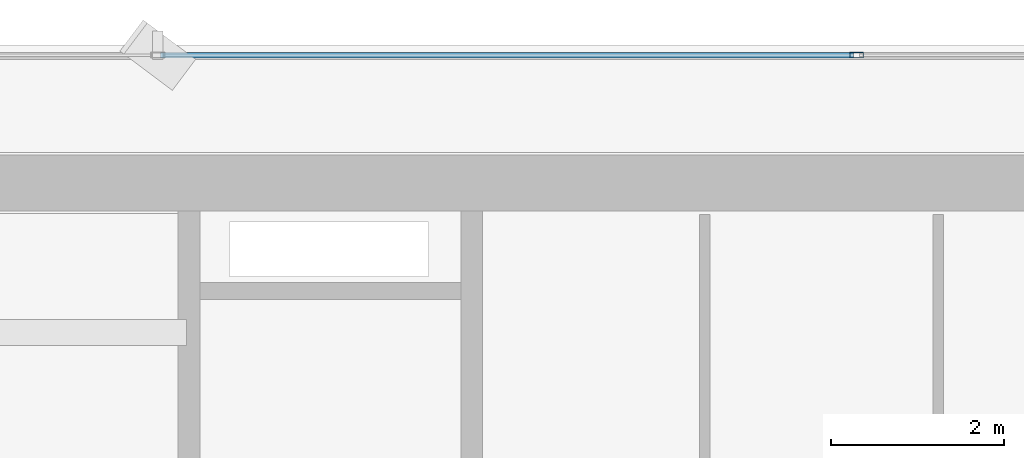
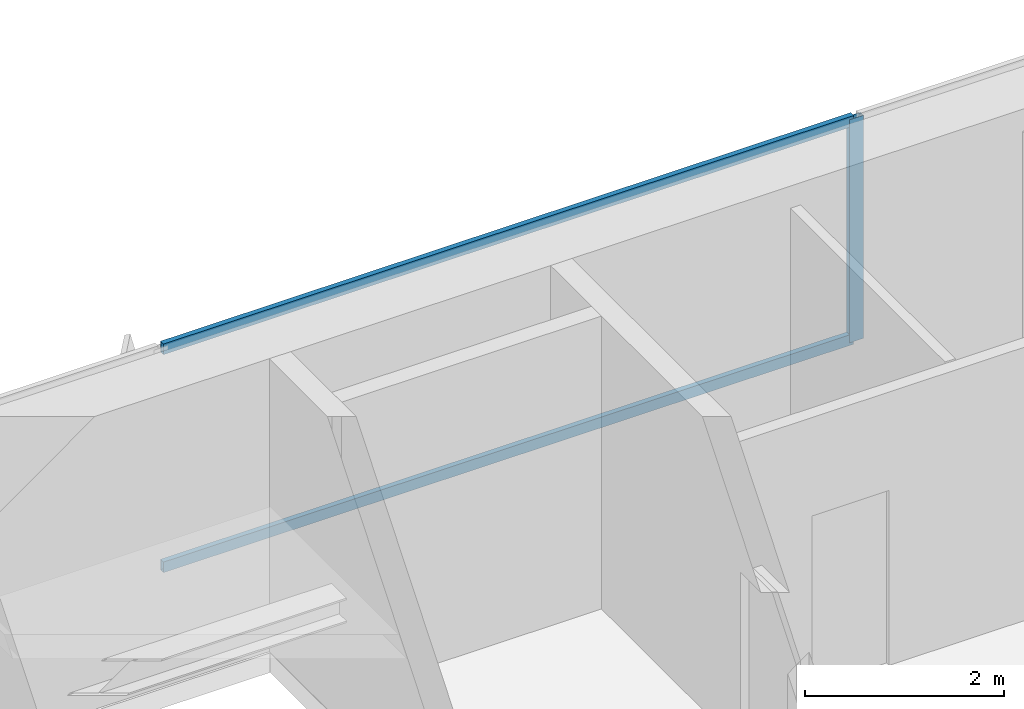
# One storey, part 21 of 37: 3 members, 1 element without a shape of its own.
"""IFC4 building model written with IfcOpenShell, lengths in metres."""

from ifc_helpers import new_model, si_unit, direction, frame, origin, origin_2d, place, context, subcontext, project, spatial, hollow_rectangle, extrude, source, transform, mapped, material, layer, layer_set, material_profile, profile_set, type_object, element, aggregate, save


model = new_model("IFC4")

# Units and contexts
model_context = context("Model", 3, precision=1e-05, world=origin(), true_north=direction((0.0, 1.0)))
body_context = subcontext(model_context, "Body", "Model", "MODEL_VIEW")
ifc_project = project(units=[si_unit("LENGTHUNIT", "METRE"), si_unit("AREAUNIT", "SQUARE_METRE"), si_unit("VOLUMEUNIT", "CUBIC_METRE"), si_unit("PLANEANGLEUNIT", "RADIAN"), si_unit("MASSUNIT", "GRAM", prefix="KILO")], contexts=[model_context])

# Site, building, storey
site_placement = place(None, origin())
site = spatial("IfcSite", under=ifc_project, at=site_placement, CompositionType="ELEMENT")
building_placement = place(site_placement, origin())
building = spatial("IfcBuilding", under=site, at=building_placement, Name="Sumidabori Civic Tower", CompositionType="ELEMENT")
storey_placement = place(building_placement, frame((0.0, 0.0, 95.60009765625)))
storey = spatial("IfcBuildingStorey", under=building, at=storey_placement, Name="L24", CompositionType="ELEMENT", Elevation=95.60009765625)

# Curtain wall, members
ifc_material = material(Name="Anodised Bronze Aluminium AW-6063-T6", Category="aluminium")
ifc_layer = layer(ifc_material, 0.179931640625, Name="Anodised Bronze Aluminium AW-6063-T6")
ifc_layer_set = layer_set([ifc_layer], Name="Anodised Bronze Aluminium AW-6063-T6")
curtain_wall_type = type_object("IfcCurtainWallType", Name="CW-SYS-3", PredefinedType="NOTDEFINED", material=ifc_layer_set)
curtain_wall_placement = place(storey_placement, origin())
curtain_wall = element("IfcCurtainWall", 1, at=curtain_wall_placement, inside=storey, type_object=curtain_wall_type, Name="Curtain Wall CW:L24:R07", PredefinedType="NOTDEFINED")
ifc_material_profile_1 = material_profile(ifc_material, hollow_rectangle(XDim=0.06494140625, YDim=0.159912109375, WallThickness=0.0048828125, at=origin_2d()), Name="ALU MULLION 160x65")
ifc_profile_set_1 = profile_set([ifc_material_profile_1], Name="Anodised Bronze Aluminium AW-6063-T6")
member_type_1 = type_object("IfcMemberType", Name="CW-MUL-160", PredefinedType="MULLION", material=ifc_profile_set_1)
shared_shape_1 = source(origin(), body_context, "Body", "SweptSolid", [
    extrude(hollow_rectangle(XDim=0.06494140625, YDim=0.159912109375, WallThickness=0.0048828125, at=origin_2d()), origin(), (0.0, 0.0, 1.0), 2.739990234375),
])
member_1_placement = place(storey_placement, frame((-4.0439453125, 25.280029296875, 0.0), z_axis=(0.0, 0.0, 1.0), x_axis=(0.0, -1.0, 0.0)))
member_1 = element("IfcMember", 2, at=member_1_placement, type_object=member_type_1, Name="CW-3 mullion 4", PredefinedType="MULLION", context=body_context, shape_type="MappedRepresentation", body=[
    mapped(shared_shape_1, transform((0.0, 0.0, 0.0), x_axis=(1.0, 0.0, 0.0), y_axis=(0.0, 1.0, 0.0), z_axis=(0.0, 0.0, 1.0), scale=1.0)),
])
ifc_material_profile_2 = material_profile(ifc_material, hollow_rectangle(XDim=0.06005859375, YDim=0.1298828125, WallThickness=0.0048828125, at=origin_2d()), Name="ALU TRANSOM 130x60")
ifc_profile_set_2 = profile_set([ifc_material_profile_2], Name="Anodised Bronze Aluminium AW-6063-T6")
member_type_2 = type_object("IfcMemberType", Name="CW-TRN-130", PredefinedType="USERDEFINED", material=ifc_profile_set_2)
shared_shape_2 = source(origin(), body_context, "Body", "SweptSolid", [
    extrude(hollow_rectangle(XDim=0.06005859375, YDim=0.1298828125, WallThickness=0.0048828125, at=origin_2d()), origin(), (0.0, 0.0, 1.0), 8.023193359375),
])
member_2_placement = place(storey_placement, frame((-4.076416015625, 25.280029296875, 0.02978515625), z_axis=(-1.0, 0.0, 0.0), x_axis=(0.0, -1.0, 0.0)))
member_2 = element("IfcMember", 3, at=member_2_placement, type_object=member_type_2, Name="CW-3 transom 4.1", ObjectType="TRANSOM", PredefinedType="USERDEFINED", context=body_context, shape_type="MappedRepresentation", body=[
    mapped(shared_shape_2, transform((0.0, 0.0, 0.0), x_axis=(1.0, 0.0, 0.0), y_axis=(0.0, 1.0, 0.0), z_axis=(0.0, 0.0, 1.0), scale=1.0)),
])
member_3_placement = place(storey_placement, frame((-4.076416015625, 25.280029296875, 2.7099609375), z_axis=(-1.0, 0.0, 0.0), x_axis=(0.0, -1.0, 0.0)))
member_3 = element("IfcMember", 4, at=member_3_placement, type_object=member_type_2, Name="CW-3 transom 4.2", ObjectType="TRANSOM", PredefinedType="USERDEFINED", context=body_context, shape_type="MappedRepresentation", body=[
    mapped(shared_shape_2, transform((0.0, 0.0, 0.0), x_axis=(1.0, 0.0, 0.0), y_axis=(0.0, 1.0, 0.0), z_axis=(0.0, 0.0, 1.0), scale=1.0)),
])
aggregate(curtain_wall, [member_1, member_2, member_3])

save(model, "model.ifc")
